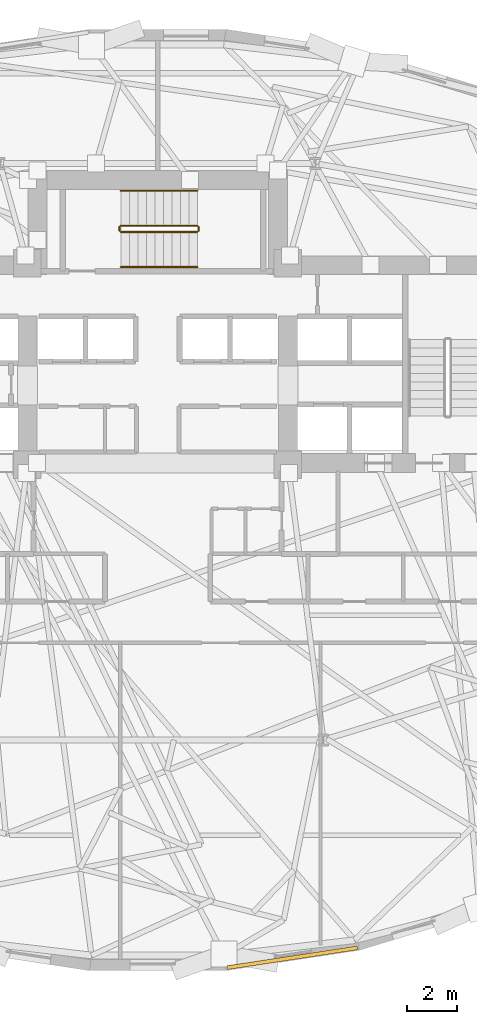
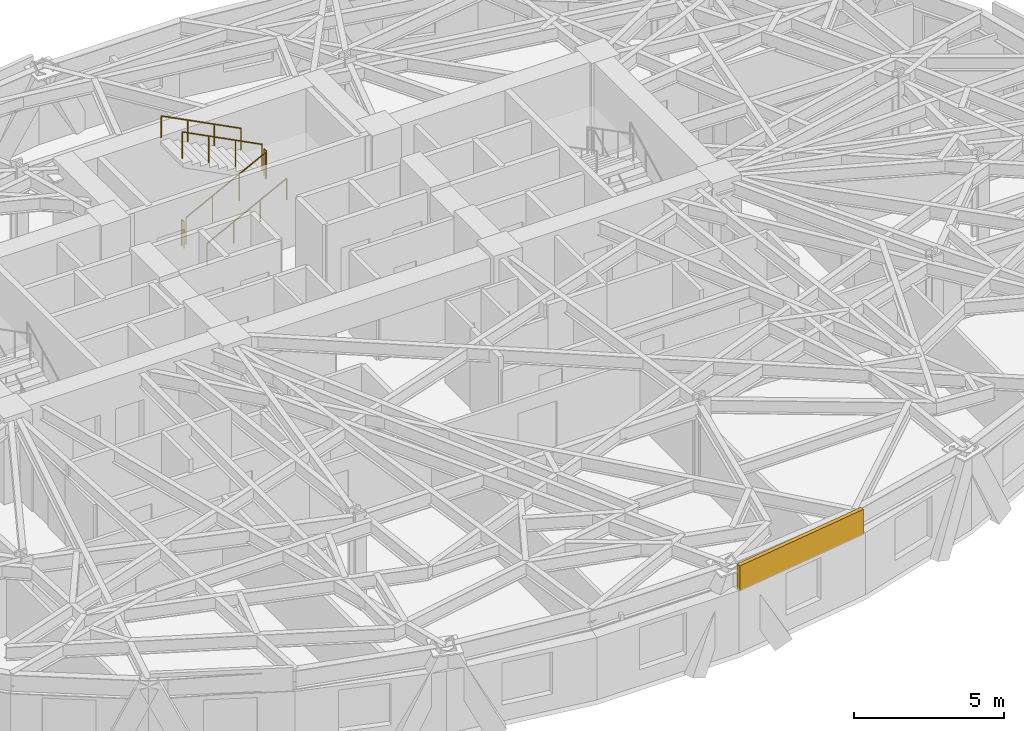
# One storey, part 13 of 15: 6 railings, 1 covering.
"""IFC4 building model written with IfcOpenShell, lengths in metres."""

from ifc_helpers import new_model, si_unit, direction, frame, origin, origin_2d, place, context, subcontext, project, spatial, rectangle, circle, extrude, material, layer, layer_set, type_object, element, save


model = new_model("IFC4")

# Units and contexts
model_context = context("Model", 3, precision=1e-05, world=origin(), true_north=direction((0.0, 1.0)))
body_context = subcontext(model_context, "Body", "Model", "MODEL_VIEW")
ifc_project = project(units=[si_unit("LENGTHUNIT", "METRE"), si_unit("AREAUNIT", "SQUARE_METRE"), si_unit("VOLUMEUNIT", "CUBIC_METRE"), si_unit("PLANEANGLEUNIT", "RADIAN"), si_unit("MASSUNIT", "GRAM", prefix="KILO")], contexts=[model_context])

# Site, building, storey
site_placement = place(None, origin())
site = spatial("IfcSite", under=ifc_project, at=site_placement, CompositionType="ELEMENT")
building_placement = place(site_placement, origin())
building = spatial("IfcBuilding", under=site, at=building_placement, Name="Keldmark Tower", CompositionType="ELEMENT")
storey_placement = place(building_placement, frame((0.0, 0.0, 110.60009765625)))
storey = spatial("IfcBuildingStorey", under=building, at=storey_placement, Name="L29", CompositionType="ELEMENT", Elevation=110.60009765625)

# Covering
ifc_material_1 = material(Name="Honed Kasota Buff Dolomitic Limestone", Category="masonry")
ifc_layer = layer(ifc_material_1, 0.074951171875)
ifc_layer_set = layer_set([ifc_layer], Name="Honed Kasota Buff Dolomitic Limestone")
covering_type = type_object("IfcCoveringType", Name="Kasota Buff Limestone Spandrel Cladding Band", PredefinedType="CLADDING", material=ifc_layer_set)
covering_placement = place(storey_placement, frame((5.37109375, -18.275146484375, 2.45166015625), z_axis=(0.0, 0.0, 1.0), x_axis=(0.988622885275, 0.15041539386, 0.0)))
element("IfcCovering", 1, at=covering_placement, inside=storey, type_object=covering_type, Name="L29 Kasota Limestone Spandrel Band 25", PredefinedType="CLADDING", context=body_context, shape_type="SweptSolid", body=[
    extrude(rectangle(XDim=5.257080078125, YDim=0.14990234375, at=origin_2d()), origin(), (0.0, 0.0, 1.0), 1.028076171875),
])

# Railings
ifc_material_2 = material(Name="Painted Steel ASTM A500 Grade B", Category="steel")
railing_type_1 = type_object("IfcRailingType", Name="Painted Steel Stair Well Guard 1100 mm", PredefinedType="GUARDRAIL", material=ifc_material_2)
railing_1_placement = place(storey_placement, frame((-1.47509765625, 10.699951171875, 0.1748046875)))
element("IfcRailing", 2, at=railing_1_placement, inside=storey, type_object=railing_type_1, Name="L29 ST3 stair guard 1", PredefinedType="GUARDRAIL", context=body_context, shape_type="SweptSolid", body=[
    extrude(circle(Radius=0.02392578125, at=origin_2d()), frame((0.0, 0.0, 1.076171875), z_axis=(0.889116283586, 0.0, 0.457681367616), x_axis=(0.0, 1.0, 0.0)), (0.0, 0.0, 1.0), 3.441650390625),
    extrude(circle(Radius=0.02099609375, at=origin_2d()), origin(), (0.0, 0.0, 1.0), 1.052001953125),
    extrude(circle(Radius=0.02099609375, at=origin_2d()), frame((1.02001953125, 0.0, 0.525146484375)), (0.0, 0.0, 1.0), 1.052001953125),
    extrude(circle(Radius=0.02099609375, at=origin_2d()), frame((2.0400390625, 0.0, 1.050048828125)), (0.0, 0.0, 1.0), 1.052001953125),
    extrude(circle(Radius=0.02099609375, at=origin_2d()), frame((3.06005859375, 0.0, 1.5751953125)), (0.0, 0.0, 1.0), 1.052001953125),
])
railing_2_placement = place(storey_placement, frame((1.635009765625, 10.75, 1.75)))
element("IfcRailing", 3, at=railing_2_placement, inside=storey, type_object=railing_type_1, Name="L29 ST3 stair guard 2", PredefinedType="GUARDRAIL", context=body_context, shape_type="SweptSolid", body=[
    extrude(circle(Radius=0.02392578125, at=origin_2d()), frame((0.0, 0.0, 1.076171875), z_axis=(0.0, 1.0, 0.0), x_axis=(-1.0, 0.0, 0.0)), (0.0, 0.0, 1.0), 0.14990234375),
    extrude(circle(Radius=0.02099609375, at=origin_2d()), origin(), (0.0, 0.0, 1.0), 1.052001953125),
    extrude(circle(Radius=0.02099609375, at=origin_2d()), frame((0.0, 0.14990234375, 0.0)), (0.0, 0.0, 1.0), 1.052001953125),
])
railing_3_placement = place(storey_placement, frame((1.5849609375, 10.949951171875, 1.9248046875)))
element("IfcRailing", 4, at=railing_3_placement, inside=storey, type_object=railing_type_1, Name="L29 ST3 stair guard 3", PredefinedType="GUARDRAIL", context=body_context, shape_type="SweptSolid", body=[
    extrude(circle(Radius=0.02392578125, at=origin_2d()), frame((0.0, 0.0, 1.076171875), z_axis=(-0.889116283586, 0.0, 0.457681367616), x_axis=(0.0, -1.0, 0.0)), (0.0, 0.0, 1.0), 3.441650390625),
    extrude(circle(Radius=0.02099609375, at=origin_2d()), origin(), (0.0, 0.0, 1.0), 1.052001953125),
    extrude(circle(Radius=0.02099609375, at=origin_2d()), frame((-1.02001953125, 0.0, 0.525146484375)), (0.0, 0.0, 1.0), 1.052001953125),
    extrude(circle(Radius=0.02099609375, at=origin_2d()), frame((-2.0400390625, 0.0, 1.050048828125)), (0.0, 0.0, 1.0), 1.052001953125),
    extrude(circle(Radius=0.02099609375, at=origin_2d()), frame((-3.06005859375, 0.0, 1.5751953125)), (0.0, 0.0, 1.0), 1.052001953125),
])
railing_4_placement = place(storey_placement, frame((-1.52490234375, 10.75, 0.0)))
element("IfcRailing", 5, at=railing_4_placement, inside=storey, type_object=railing_type_1, Name="L29 ST3 stair guard 4", PredefinedType="GUARDRAIL", context=body_context, shape_type="SweptSolid", body=[
    extrude(circle(Radius=0.02392578125, at=origin_2d()), frame((0.0, 0.0, 1.076171875), z_axis=(0.0, 1.0, 0.0), x_axis=(-1.0, 0.0, 0.0)), (0.0, 0.0, 1.0), 0.14990234375),
    extrude(circle(Radius=0.02099609375, at=origin_2d()), origin(), (0.0, 0.0, 1.0), 1.052001953125),
    extrude(circle(Radius=0.02099609375, at=origin_2d()), frame((0.0, 0.14990234375, 0.0)), (0.0, 0.0, 1.0), 1.052001953125),
])
ifc_material_3 = material(Name="Stainless Steel AISI 316L", Category="steel")
railing_type_2 = type_object("IfcRailingType", Name="Stainless Steel Stair Handrail 900 mm", PredefinedType="HANDRAIL", material=ifc_material_3)
railing_5_placement = place(storey_placement, frame((-1.47509765625, 9.300048828125, 0.1748046875)))
element("IfcRailing", 6, at=railing_5_placement, inside=storey, type_object=railing_type_2, Name="L29 ST3 stair handrail 1", PredefinedType="HANDRAIL", context=body_context, shape_type="SweptSolid", body=[
    extrude(circle(Radius=0.02392578125, at=origin_2d()), frame((0.0, 0.0, 0.8759765625), z_axis=(0.889116283586, 0.0, 0.457681367616), x_axis=(0.0, 1.0, 0.0)), (0.0, 0.0, 1.0), 3.441650390625),
    extrude(circle(Radius=0.02099609375, at=origin_2d()), origin(), (0.0, 0.0, 1.0), 0.851806640625),
    extrude(circle(Radius=0.02099609375, at=origin_2d()), frame((1.02001953125, 0.0, 0.525146484375)), (0.0, 0.0, 1.0), 0.851806640625),
    extrude(circle(Radius=0.02099609375, at=origin_2d()), frame((2.0400390625, 0.0, 1.050048828125)), (0.0, 0.0, 1.0), 0.851806640625),
    extrude(circle(Radius=0.02099609375, at=origin_2d()), frame((3.06005859375, 0.0, 1.5751953125)), (0.0, 0.0, 1.0), 0.851806640625),
])
railing_6_placement = place(storey_placement, frame((1.5849609375, 12.35009765625, 1.9248046875)))
element("IfcRailing", 7, at=railing_6_placement, inside=storey, type_object=railing_type_2, Name="L29 ST3 stair handrail 2", PredefinedType="HANDRAIL", context=body_context, shape_type="SweptSolid", body=[
    extrude(circle(Radius=0.02392578125, at=origin_2d()), frame((0.0, 0.0, 0.8759765625), z_axis=(-0.889116283586, 0.0, 0.457681367616), x_axis=(0.0, -1.0, 0.0)), (0.0, 0.0, 1.0), 3.441650390625),
    extrude(circle(Radius=0.02099609375, at=origin_2d()), origin(), (0.0, 0.0, 1.0), 0.851806640625),
    extrude(circle(Radius=0.02099609375, at=origin_2d()), frame((-1.02001953125, 0.0, 0.525146484375)), (0.0, 0.0, 1.0), 0.851806640625),
    extrude(circle(Radius=0.02099609375, at=origin_2d()), frame((-2.0400390625, 0.0, 1.050048828125)), (0.0, 0.0, 1.0), 0.851806640625),
    extrude(circle(Radius=0.02099609375, at=origin_2d()), frame((-3.06005859375, 0.0, 1.5751953125)), (0.0, 0.0, 1.0), 0.851806640625),
])

save(model, "model.ifc")
